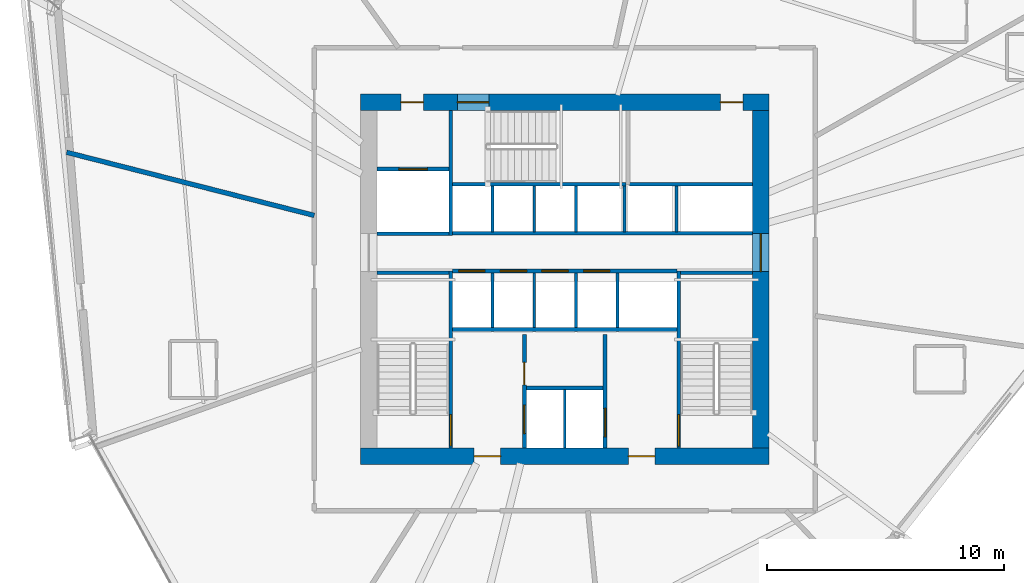
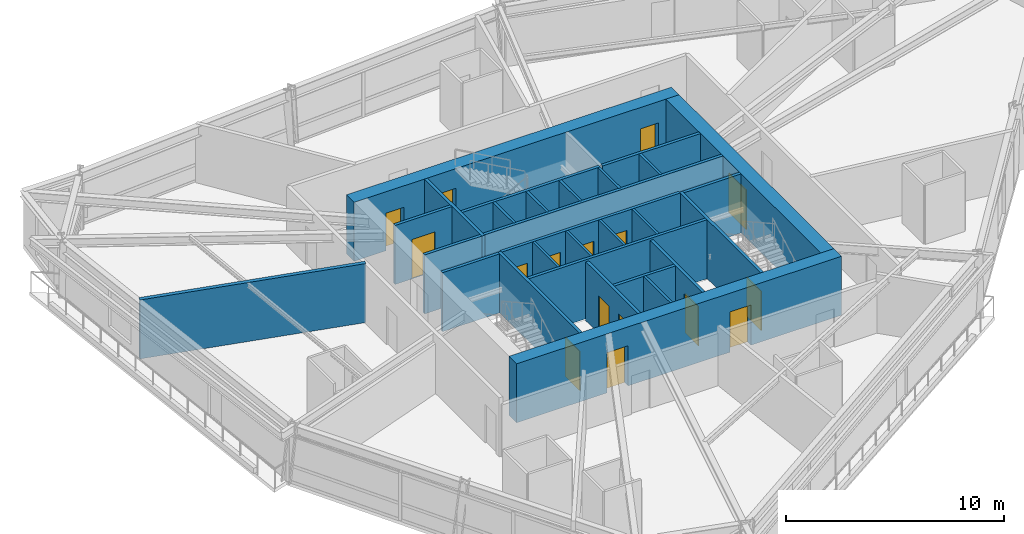
# One storey, part 15 of 21: 29 walls, 16 doors, 16 openings.
"""IFC4 building model written with IfcOpenShell, lengths in metres."""

from ifc_helpers import new_model, si_unit, direction, frame, frame_2d, origin, place, context, subcontext, project, spatial, rectangle, extrude, source, transform, mapped, material, layer, layer_set, type_object, type_shapes, element, fill, save


model = new_model("IFC4")

# Units and contexts
model_context = context("Model", 3, precision=1e-05, world=origin(), true_north=direction((0.0, 1.0)))
body_context = subcontext(model_context, "Body", "Model", "MODEL_VIEW")
ifc_project = project(units=[si_unit("LENGTHUNIT", "METRE"), si_unit("AREAUNIT", "SQUARE_METRE"), si_unit("VOLUMEUNIT", "CUBIC_METRE"), si_unit("PLANEANGLEUNIT", "RADIAN"), si_unit("MASSUNIT", "GRAM", prefix="KILO")], contexts=[model_context])

# Site, building, storey
site_placement = place(None, origin())
site = spatial("IfcSite", under=ifc_project, at=site_placement, CompositionType="ELEMENT")
building_placement = place(site_placement, origin())
building = spatial("IfcBuilding", under=site, at=building_placement, Name="Olszyna Solenne Hotel", CompositionType="ELEMENT")
storey_placement = place(building_placement, frame((0.0, 0.0, 109.25)))
storey = spatial("IfcBuildingStorey", under=building, at=storey_placement, Name="L28", CompositionType="ELEMENT", Elevation=109.25)

# Wall, openings, doors
ifc_material_1 = material(Name="Concrete C60/75", Category="concrete")
ifc_layer_1 = layer(ifc_material_1, 0.699951171875, Name="Concrete C60/75")
ifc_layer_set_1 = layer_set([ifc_layer_1], Name="Concrete C60/75")
wall_type_1 = type_object("IfcWallType", Name="WL-CR700", PredefinedType="SHEAR", material=ifc_layer_set_1)
wall_1_placement = place(storey_placement, frame((46.60009765625, 19.14990234375, 0.0), z_axis=(0.0, 0.0, 1.0), x_axis=(-1.0, 0.0, 0.0)))
wall_1 = element("IfcWall", 1, at=wall_1_placement, inside=storey, type_object=wall_type_1, Name="Core shear wall WL-CR700 CRW-L28-S", PredefinedType="SHEAR", context=body_context, shape_type="SweptSolid", body=[
    extrude(rectangle(XDim=17.2001953125, YDim=0.699951171875, at=frame_2d((8.60009765625, 0.0))), origin(), (0.0, 0.0, 1.0), 3.300048828125),
])
opening_1_placement = place(wall_1_placement, frame((4.800048828125, 0.0, 0.0)))
opening_1 = element("IfcOpeningElement", 2, at=opening_1_placement, cuts=wall_1, Name="Opening FL-L28-1", PredefinedType="OPENING", context=body_context, shape_type="SweptSolid", body=[
    extrude(rectangle(XDim=1.1201171875, YDim=2.25, at=frame_2d((0.56005859375, 1.125))), frame((0.0, 0.35986328125, 0.0), z_axis=(0.0, -1.0, 0.0), x_axis=(1.0, 0.0, 0.0)), (0.0, 0.0, 1.0), 0.719970703125),
])
opening_2_placement = place(wall_1_placement, frame((11.300048828125, 0.0, 0.0)))
opening_2 = element("IfcOpeningElement", 3, at=opening_2_placement, cuts=wall_1, Name="Opening FL-L28-2", PredefinedType="OPENING", context=body_context, shape_type="SweptSolid", body=[
    extrude(rectangle(XDim=1.1201171875, YDim=2.25, at=frame_2d((0.56005859375, 1.125))), frame((0.0, 0.35986328125, 0.0), z_axis=(0.0, -1.0, 0.0), x_axis=(1.0, 0.0, 0.0)), (0.0, 0.0, 1.0), 0.719970703125),
])
ifc_material_2 = material(Name="Steel S355J2", Category="steel")
door_type_1 = type_object("IfcDoorType", Name="DR-FL1", OperationType="NOTDEFINED", PredefinedType="DOOR", material=ifc_material_2)
shared_shape_1 = source(origin(), body_context, "Body", "SweptSolid", [
    extrude(rectangle(XDim=1.1201171875, YDim=2.25, at=frame_2d((0.56005859375, 1.125))), frame((0.0, 0.02490234375, 0.0), z_axis=(0.0, -1.0, 0.0), x_axis=(1.0, 0.0, 0.0)), (0.0, 0.0, 1.0), 0.050048828125),
])
type_shapes(door_type_1, [shared_shape_1])
door_1_placement = place(opening_1_placement, origin())
door_1 = element("IfcDoor", 4, at=door_1_placement, inside=storey, type_object=door_type_1, Name="Firefighting lift lobby smoke door FL-L28-1", OperationType="SINGLE_SWING_LEFT", OverallHeight=2.25, OverallWidth=1.1201171875, PredefinedType="DOOR", context=body_context, shape_type="MappedRepresentation", body=[
    mapped(shared_shape_1, transform((0.0, 0.0, 0.0), x_axis=(1.0, 0.0, 0.0), y_axis=(0.0, 1.0, 0.0), z_axis=(0.0, 0.0, 1.0), scale=1.0)),
])
fill(opening_1, door_1)
door_2_placement = place(opening_2_placement, origin())
door_2 = element("IfcDoor", 5, at=door_2_placement, inside=storey, type_object=door_type_1, Name="Firefighting lift lobby smoke door FL-L28-2", OperationType="SINGLE_SWING_RIGHT", OverallHeight=2.25, OverallWidth=1.1201171875, PredefinedType="DOOR", context=body_context, shape_type="MappedRepresentation", body=[
    mapped(shared_shape_1, transform((0.0, 0.0, 0.0), x_axis=(1.0, 0.0, 0.0), y_axis=(0.0, 1.0, 0.0), z_axis=(0.0, 0.0, 1.0), scale=1.0)),
])
fill(opening_2, door_2)

wall_2_placement = place(storey_placement, frame((29.39990234375, 34.050048828125, 0.0), z_axis=(0.0, 0.0, 1.0), x_axis=(1.0, 0.0, 0.0)))
wall_2 = element("IfcWall", 6, at=wall_2_placement, inside=storey, type_object=wall_type_1, Name="Core shear wall WL-CR700 CRW-L28-N", PredefinedType="SHEAR", context=body_context, shape_type="SweptSolid", body=[
    extrude(rectangle(XDim=17.2001953125, YDim=0.699951171875, at=frame_2d((8.60009765625, 0.0))), origin(), (0.0, 0.0, 1.0), 3.300048828125),
])
opening_3_placement = place(wall_2_placement, frame((1.699951171875, 0.0, 0.0)))
opening_3 = element("IfcOpeningElement", 7, at=opening_3_placement, cuts=wall_2, Name="Opening SVD-L28-01", PredefinedType="OPENING", context=body_context, shape_type="SweptSolid", body=[
    extrude(rectangle(XDim=0.949951171875, YDim=2.10009765625, at=frame_2d((0.47509765625, 1.050048828125))), frame((0.0, 0.35986328125, 0.0), z_axis=(0.0, -1.0, 0.0), x_axis=(1.0, 0.0, 0.0)), (0.0, 0.0, 1.0), 0.719970703125),
])
opening_4_placement = place(wall_2_placement, frame((4.080078125, 0.0, 0.0)))
opening_4 = element("IfcOpeningElement", 8, at=opening_4_placement, cuts=wall_2, Name="Opening STD-L28-03", PredefinedType="OPENING", context=body_context, shape_type="SweptSolid", body=[
    extrude(rectangle(XDim=1.320068359375, YDim=2.199951171875, at=frame_2d((0.66015625, 1.10009765625))), frame((0.0, 0.35986328125, 0.0), z_axis=(0.0, -1.0, 0.0), x_axis=(1.0, 0.0, 0.0)), (0.0, 0.0, 1.0), 0.719970703125),
])
opening_5_placement = place(wall_2_placement, frame((15.14990234375, 0.0, 0.0)))
opening_5 = element("IfcOpeningElement", 9, at=opening_5_placement, cuts=wall_2, Name="Opening SVD-L28-BN", PredefinedType="OPENING", context=body_context, shape_type="SweptSolid", body=[
    extrude(rectangle(XDim=0.949951171875, YDim=2.10009765625, at=frame_2d((0.47509765625, 1.050048828125))), frame((0.0, 0.35986328125, 0.0), z_axis=(0.0, -1.0, 0.0), x_axis=(1.0, 0.0, 0.0)), (0.0, 0.0, 1.0), 0.719970703125),
])
door_type_2 = type_object("IfcDoorType", Name="DR-ST1", OperationType="NOTDEFINED", PredefinedType="DOOR", material=ifc_material_2)
shared_shape_2 = source(origin(), body_context, "Body", "SweptSolid", [
    extrude(rectangle(XDim=1.320068359375, YDim=2.199951171875, at=frame_2d((0.66015625, 1.10009765625))), frame((0.0, 0.02490234375, 0.0), z_axis=(0.0, -1.0, 0.0), x_axis=(1.0, 0.0, 0.0)), (0.0, 0.0, 1.0), 0.050048828125),
])
type_shapes(door_type_2, [shared_shape_2])
door_3_placement = place(opening_4_placement, origin())
door_3 = element("IfcDoor", 10, at=door_3_placement, inside=storey, type_object=door_type_2, Name="Pressurised exit stair ST3 fire door STD-L28-03", OperationType="SINGLE_SWING_RIGHT", OverallHeight=2.199951171875, OverallWidth=1.320068359375, PredefinedType="DOOR", context=body_context, shape_type="MappedRepresentation", body=[
    mapped(shared_shape_2, transform((0.0, 0.0, 0.0), x_axis=(1.0, 0.0, 0.0), y_axis=(0.0, 1.0, 0.0), z_axis=(0.0, 0.0, 1.0), scale=1.0)),
])
fill(opening_4, door_3)
door_type_3 = type_object("IfcDoorType", Name="DR-SV1", OperationType="NOTDEFINED", PredefinedType="DOOR", material=ifc_material_2)
shared_shape_3 = source(origin(), body_context, "Body", "SweptSolid", [
    extrude(rectangle(XDim=0.949951171875, YDim=2.10009765625, at=frame_2d((0.47509765625, 1.050048828125))), frame((0.0, 0.02490234375, 0.0), z_axis=(0.0, -1.0, 0.0), x_axis=(1.0, 0.0, 0.0)), (0.0, 0.0, 1.0), 0.050048828125),
])
type_shapes(door_type_3, [shared_shape_3])
door_4_placement = place(opening_3_placement, origin())
door_4 = element("IfcDoor", 11, at=door_4_placement, inside=storey, type_object=door_type_3, Name="Service lift lobby fire door SVD-L28-01", OperationType="SINGLE_SWING_LEFT", OverallHeight=2.10009765625, OverallWidth=0.949951171875, PredefinedType="DOOR", context=body_context, shape_type="MappedRepresentation", body=[
    mapped(shared_shape_3, transform((0.0, 0.0, 0.0), x_axis=(1.0, 0.0, 0.0), y_axis=(0.0, 1.0, 0.0), z_axis=(0.0, 0.0, 1.0), scale=1.0)),
])
fill(opening_3, door_4)
door_5_placement = place(opening_5_placement, origin())
door_5 = element("IfcDoor", 12, at=door_5_placement, inside=storey, type_object=door_type_3, Name="Housekeeping core fire door SVD-L28-BN", OperationType="SINGLE_SWING_LEFT", OverallHeight=2.10009765625, OverallWidth=0.949951171875, PredefinedType="DOOR", context=body_context, shape_type="MappedRepresentation", body=[
    mapped(shared_shape_3, transform((0.0, 0.0, 0.0), x_axis=(1.0, 0.0, 0.0), y_axis=(0.0, 1.0, 0.0), z_axis=(0.0, 0.0, 1.0), scale=1.0)),
])
fill(opening_5, door_5)

# Wall, opening, door
wall_3_placement = place(storey_placement, frame((46.25, 33.699951171875, 0.0), z_axis=(0.0, 0.0, 1.0), x_axis=(0.0, -1.0, 0.0)))
wall_3 = element("IfcWall", 13, at=wall_3_placement, inside=storey, type_object=wall_type_1, Name="Core shear wall WL-CR700 CRW-L28-E", PredefinedType="SHEAR", context=body_context, shape_type="SweptSolid", body=[
    extrude(rectangle(XDim=14.199951171875, YDim=0.699951171875, at=frame_2d((7.10009765625, 0.0))), origin(), (0.0, 0.0, 1.0), 3.300048828125),
])
opening_6_placement = place(wall_3_placement, frame((5.179931640625, 0.0, 0.0)))
opening_6 = element("IfcOpeningElement", 14, at=opening_6_placement, cuts=wall_3, Name="Opening LHD-L28-E", PredefinedType="OPENING", context=body_context, shape_type="SweptSolid", body=[
    extrude(rectangle(XDim=1.60009765625, YDim=2.199951171875, at=frame_2d((0.800048828125, 1.10009765625))), frame((0.0, 0.35986328125, 0.0), z_axis=(0.0, -1.0, 0.0), x_axis=(1.0, 0.0, 0.0)), (0.0, 0.0, 1.0), 0.719970703125),
])
ifc_material_3 = material(Name="Timber hardwood", Category="wood")
door_type_4 = type_object("IfcDoorType", Name="DR-CR1", OperationType="DOUBLE_DOOR_SINGLE_SWING", PredefinedType="DOOR", material=ifc_material_3)
shared_shape_4 = source(origin(), body_context, "Body", "SweptSolid", [
    extrude(rectangle(XDim=1.60009765625, YDim=2.199951171875, at=frame_2d((0.800048828125, 1.10009765625))), frame((0.0, 0.02490234375, 0.0), z_axis=(0.0, -1.0, 0.0), x_axis=(1.0, 0.0, 0.0)), (0.0, 0.0, 1.0), 0.050048828125),
])
type_shapes(door_type_4, [shared_shape_4])
door_6_placement = place(opening_6_placement, origin())
door_6 = element("IfcDoor", 15, at=door_6_placement, inside=storey, type_object=door_type_4, Name="Passenger lift lobby East fire door LHD-L28-E", OperationType="DOUBLE_DOOR_SINGLE_SWING", OverallHeight=2.199951171875, OverallWidth=1.60009765625, PredefinedType="DOOR", context=body_context, shape_type="MappedRepresentation", body=[
    mapped(shared_shape_4, transform((0.0, 0.0, 0.0), x_axis=(1.0, 0.0, 0.0), y_axis=(0.0, 1.0, 0.0), z_axis=(0.0, 0.0, 1.0), scale=1.0)),
])
fill(opening_6, door_6)

# Walls
ifc_material_4 = material(Name="Acoustic gypsum partition", Category="gypsum")
ifc_layer_2 = layer(ifc_material_4, 0.125, Name="Acoustic gypsum partition")
ifc_layer_set_2 = layer_set([ifc_layer_2], Name="Acoustic gypsum partition")
wall_type_2 = type_object("IfcWallType", Name="WL-PT125", PredefinedType="PARTITIONING", material=ifc_layer_set_2)
wall_4_placement = place(storey_placement, frame((38.0, 19.5, 0.0), z_axis=(0.0, 0.0, 1.0), x_axis=(0.0, 1.0, 0.0)))
element("IfcWall", 16, at=wall_4_placement, inside=storey, type_object=wall_type_2, Name="Core shaft compartment wall CW-L28-FFM", PredefinedType="PARTITIONING", context=body_context, shape_type="SweptSolid", body=[
    extrude(rectangle(XDim=2.4599609375, YDim=0.125, at=frame_2d((1.22998046875, 0.0))), origin(), (0.0, 0.0, 1.0), 3.300048828125),
])
for number, where, z_axis, x_axis, name in (
    (17, (34.965087890625, 24.56005859375, 0.0), (0.0, 0.0, 1.0), (0.0, 1.0, 0.0), "Core shaft compartment wall CW-L28-DIVS349"),
    (18, (36.715087890625, 24.56005859375, 0.0), (0.0, 0.0, 1.0), (0.0, 1.0, 0.0), "Core shaft compartment wall CW-L28-DIVS367"),
    (19, (38.465087890625, 24.56005859375, 0.0), (0.0, 0.0, 1.0), (0.0, 1.0, 0.0), "Core shaft compartment wall CW-L28-DIVS384"),
    (20, (40.215087890625, 24.56005859375, 0.0), (0.0, 0.0, 1.0), (0.0, 1.0, 0.0), "Core shaft compartment wall CW-L28-DIVS402"),
):
    element("IfcWall", number, at=place(storey_placement, frame(where, z_axis=z_axis, x_axis=x_axis)), inside=storey, type_object=wall_type_2, Name=name, PredefinedType="PARTITIONING", context=body_context, shape_type="SweptSolid", body=[
        extrude(rectangle(XDim=2.31005859375, YDim=0.125, at=frame_2d((1.155029296875, 0.0))), origin(), (0.0, 0.0, 1.0), 3.300048828125),
    ])
for number, where, z_axis, x_axis, name in (
    (21, (34.965087890625, 28.60009765625, 0.0), (0.0, 0.0, 1.0), (0.0, 1.0, 0.0), "Core shaft compartment wall CW-L28-DIVN349"),
    (22, (36.715087890625, 28.60009765625, 0.0), (0.0, 0.0, 1.0), (0.0, 1.0, 0.0), "Core shaft compartment wall CW-L28-DIVN367"),
    (23, (38.465087890625, 28.60009765625, 0.0), (0.0, 0.0, 1.0), (0.0, 1.0, 0.0), "Core shaft compartment wall CW-L28-DIVN384"),
    (24, (40.52490234375, 28.60009765625, 0.0), (0.0, 0.0, 1.0), (0.0, 1.0, 0.0), "Core shaft compartment wall CW-L28-DIVEX405"),
    (25, (42.699951171875, 28.60009765625, 0.0), (0.0, 0.0, 1.0), (0.0, 1.0, 0.0), "Core shaft compartment wall CW-L28-DIVEX427"),
):
    element("IfcWall", number, at=place(storey_placement, frame(where, z_axis=z_axis, x_axis=x_axis)), inside=storey, type_object=wall_type_2, Name=name, PredefinedType="PARTITIONING", context=body_context, shape_type="SweptSolid", body=[
        extrude(rectangle(XDim=1.919921875, YDim=0.125, at=frame_2d((0.9599609375, 0.0))), origin(), (0.0, 0.0, 1.0), 3.300048828125),
    ])

# Wall, opening, door
ifc_layer_3 = layer(ifc_material_4, 0.159912109375, Name="Acoustic gypsum partition")
ifc_layer_set_3 = layer_set([ifc_layer_3], Name="Acoustic gypsum partition")
wall_type_3 = type_object("IfcWallType", Name="WL-PT160", PredefinedType="PARTITIONING", material=ifc_layer_set_3)
wall_5_placement = place(storey_placement, frame((33.199951171875, 19.5, 0.0), z_axis=(0.0, 0.0, 1.0), x_axis=(0.0, 1.0, 0.0)))
wall_5 = element("IfcWall", 26, at=wall_5_placement, inside=storey, type_object=wall_type_3, Name="Core shaft compartment wall CW-L28-ST1E", PredefinedType="PARTITIONING", context=body_context, shape_type="SweptSolid", body=[
    extrude(rectangle(XDim=7.4599609375, YDim=0.159912109375, at=frame_2d((3.72998046875, 0.0))), origin(), (0.0, 0.0, 1.0), 3.300048828125),
])
opening_7_placement = place(wall_5_placement, frame((0.080078125, 0.0, 0.0)))
opening_7 = element("IfcOpeningElement", 27, at=opening_7_placement, cuts=wall_5, Name="Opening STD-L28-01", PredefinedType="OPENING", context=body_context, shape_type="SweptSolid", body=[
    extrude(rectangle(XDim=1.320068359375, YDim=2.199951171875, at=frame_2d((0.66015625, 1.10009765625))), frame((0.0, 0.08984375, 0.0), z_axis=(0.0, -1.0, 0.0), x_axis=(1.0, 0.0, 0.0)), (0.0, 0.0, 1.0), 0.179931640625),
])
door_7_placement = place(opening_7_placement, origin())
door_7 = element("IfcDoor", 28, at=door_7_placement, inside=storey, type_object=door_type_2, Name="Pressurised exit stair ST1 fire door STD-L28-01", OperationType="SINGLE_SWING_LEFT", OverallHeight=2.199951171875, OverallWidth=1.320068359375, PredefinedType="DOOR", context=body_context, shape_type="MappedRepresentation", body=[
    mapped(shared_shape_2, transform((0.0, 0.0, 0.0), x_axis=(1.0, 0.0, 0.0), y_axis=(0.0, 1.0, 0.0), z_axis=(0.0, 0.0, 1.0), scale=1.0)),
])
fill(opening_7, door_7)

# Wall
wall_6_placement = place(storey_placement, frame((30.10009765625, 26.8798828125, 0.0), z_axis=(0.0, 0.0, 1.0), x_axis=(1.0, 0.0, 0.0)))
element("IfcWall", 29, at=wall_6_placement, inside=storey, type_object=wall_type_3, Name="Core shaft compartment wall CW-L28-ST1N", PredefinedType="PARTITIONING", context=body_context, shape_type="SweptSolid", body=[
    extrude(rectangle(XDim=3.02001953125, YDim=0.159912109375, at=frame_2d((1.510009765625, 0.0))), origin(), (0.0, 0.0, 1.0), 3.300048828125),
])

# Wall, opening, door
wall_7_placement = place(storey_placement, frame((42.800048828125, 26.9599609375, 0.0), z_axis=(0.0, 0.0, 1.0), x_axis=(0.0, -1.0, 0.0)))
wall_7 = element("IfcWall", 30, at=wall_7_placement, inside=storey, type_object=wall_type_3, Name="Core shaft compartment wall CW-L28-ST2W", PredefinedType="PARTITIONING", context=body_context, shape_type="SweptSolid", body=[
    extrude(rectangle(XDim=7.4599609375, YDim=0.159912109375, at=frame_2d((3.72998046875, 0.0))), origin(), (0.0, 0.0, 1.0), 3.300048828125),
])
opening_8_placement = place(wall_7_placement, frame((6.06005859375, 0.0, 0.0)))
opening_8 = element("IfcOpeningElement", 31, at=opening_8_placement, cuts=wall_7, Name="Opening STD-L28-02", PredefinedType="OPENING", context=body_context, shape_type="SweptSolid", body=[
    extrude(rectangle(XDim=1.320068359375, YDim=2.199951171875, at=frame_2d((0.66015625, 1.10009765625))), frame((0.0, 0.08984375, 0.0), z_axis=(0.0, -1.0, 0.0), x_axis=(1.0, 0.0, 0.0)), (0.0, 0.0, 1.0), 0.179931640625),
])
door_8_placement = place(opening_8_placement, origin())
door_8 = element("IfcDoor", 32, at=door_8_placement, inside=storey, type_object=door_type_2, Name="Pressurised exit stair ST2 fire door STD-L28-02", OperationType="SINGLE_SWING_RIGHT", OverallHeight=2.199951171875, OverallWidth=1.320068359375, PredefinedType="DOOR", context=body_context, shape_type="MappedRepresentation", body=[
    mapped(shared_shape_2, transform((0.0, 0.0, 0.0), x_axis=(1.0, 0.0, 0.0), y_axis=(0.0, 1.0, 0.0), z_axis=(0.0, 0.0, 1.0), scale=1.0)),
])
fill(opening_8, door_8)

# Walls
wall_8_placement = place(storey_placement, frame((42.8798828125, 26.8798828125, 0.0), z_axis=(0.0, 0.0, 1.0), x_axis=(1.0, 0.0, 0.0)))
element("IfcWall", 33, at=wall_8_placement, inside=storey, type_object=wall_type_3, Name="Core shaft compartment wall CW-L28-ST2N", PredefinedType="PARTITIONING", context=body_context, shape_type="SweptSolid", body=[
    extrude(rectangle(XDim=3.02001953125, YDim=0.159912109375, at=frame_2d((1.510009765625, 0.0))), origin(), (0.0, 0.0, 1.0), 3.300048828125),
])
wall_9_placement = place(storey_placement, frame((33.280029296875, 30.60009765625, 0.0), z_axis=(0.0, 0.0, 1.0), x_axis=(1.0, 0.0, 0.0)))
element("IfcWall", 34, at=wall_9_placement, inside=storey, type_object=wall_type_3, Name="Core shaft compartment wall CW-L28-ST3S", PredefinedType="PARTITIONING", context=body_context, shape_type="SweptSolid", body=[
    extrude(rectangle(XDim=7.300048828125, YDim=0.159912109375, at=frame_2d((3.64990234375, 0.0))), origin(), (0.0, 0.0, 1.0), 3.300048828125),
])

# Wall, openings, doors
wall_10_placement = place(storey_placement, frame((36.300048828125, 19.5, 0.0), z_axis=(0.0, 0.0, 1.0), x_axis=(0.0, 1.0, 0.0)))
wall_10 = element("IfcWall", 35, at=wall_10_placement, inside=storey, type_object=wall_type_3, Name="Core shaft compartment wall CW-L28-FF1W", PredefinedType="PARTITIONING", context=body_context, shape_type="SweptSolid", body=[
    extrude(rectangle(XDim=4.780029296875, YDim=0.159912109375, at=frame_2d((2.39013671875, 0.0))), origin(), (0.0, 0.0, 1.0), 3.300048828125),
])
opening_9_placement = place(wall_10_placement, frame((0.60009765625, 0.0, 0.0)))
opening_9 = element("IfcOpeningElement", 36, at=opening_9_placement, cuts=wall_10, Name="Opening LD-L28-FF1", PredefinedType="OPENING", context=body_context, shape_type="SweptSolid", body=[
    extrude(rectangle(XDim=1.199951171875, YDim=2.199951171875, at=frame_2d((0.60009765625, 1.10009765625))), frame((0.0, 0.08984375, 0.0), z_axis=(0.0, -1.0, 0.0), x_axis=(1.0, 0.0, 0.0)), (0.0, 0.0, 1.0), 0.179931640625),
])
opening_10_placement = place(wall_10_placement, frame((2.64990234375, 0.0, 0.0)))
opening_10 = element("IfcOpeningElement", 37, at=opening_10_placement, cuts=wall_10, Name="Opening SVD-L28-SMK", PredefinedType="OPENING", context=body_context, shape_type="SweptSolid", body=[
    extrude(rectangle(XDim=0.949951171875, YDim=2.10009765625, at=frame_2d((0.47509765625, 1.050048828125))), frame((0.0, 0.08984375, 0.0), z_axis=(0.0, -1.0, 0.0), x_axis=(1.0, 0.0, 0.0)), (0.0, 0.0, 1.0), 0.179931640625),
])
door_9_placement = place(opening_10_placement, origin())
door_9 = element("IfcDoor", 38, at=door_9_placement, inside=storey, type_object=door_type_3, Name="Valet and core service room door SVD-L28-SMK", OperationType="SINGLE_SWING_LEFT", OverallHeight=2.10009765625, OverallWidth=0.949951171875, PredefinedType="DOOR", context=body_context, shape_type="MappedRepresentation", body=[
    mapped(shared_shape_3, transform((0.0, 0.0, 0.0), x_axis=(1.0, 0.0, 0.0), y_axis=(0.0, 1.0, 0.0), z_axis=(0.0, 0.0, 1.0), scale=1.0)),
])
fill(opening_10, door_9)
door_type_5 = type_object("IfcDoorType", Name="LD-FF1", OperationType="DOUBLE_DOOR_SLIDING", PredefinedType="DOOR", material=ifc_material_2)
shared_shape_5 = source(origin(), body_context, "Body", "SweptSolid", [
    extrude(rectangle(XDim=1.199951171875, YDim=2.199951171875, at=frame_2d((0.60009765625, 1.10009765625))), frame((0.0, 0.02490234375, 0.0), z_axis=(0.0, -1.0, 0.0), x_axis=(1.0, 0.0, 0.0)), (0.0, 0.0, 1.0), 0.050048828125),
])
type_shapes(door_type_5, [shared_shape_5])
door_10_placement = place(opening_9_placement, origin())
door_10 = element("IfcDoor", 39, at=door_10_placement, inside=storey, type_object=door_type_5, Name="Firefighters lift FF1 sliding landing door LD-L28-FF1", OperationType="DOUBLE_DOOR_SLIDING", OverallHeight=2.199951171875, OverallWidth=1.199951171875, PredefinedType="DOOR", context=body_context, shape_type="MappedRepresentation", body=[
    mapped(shared_shape_5, transform((0.0, 0.0, 0.0), x_axis=(1.0, 0.0, 0.0), y_axis=(0.0, 1.0, 0.0), z_axis=(0.0, 0.0, 1.0), scale=1.0)),
])
fill(opening_9, door_10)

# Wall, opening, door
wall_11_placement = place(storey_placement, frame((39.699951171875, 24.280029296875, 0.0), z_axis=(0.0, 0.0, 1.0), x_axis=(0.0, -1.0, 0.0)))
wall_11 = element("IfcWall", 40, at=wall_11_placement, inside=storey, type_object=wall_type_3, Name="Core shaft compartment wall CW-L28-FF2E", PredefinedType="PARTITIONING", context=body_context, shape_type="SweptSolid", body=[
    extrude(rectangle(XDim=4.780029296875, YDim=0.159912109375, at=frame_2d((2.39013671875, 0.0))), origin(), (0.0, 0.0, 1.0), 3.300048828125),
])
opening_11_placement = place(wall_11_placement, frame((3.1201171875, 0.0, 0.0)))
opening_11 = element("IfcOpeningElement", 41, at=opening_11_placement, cuts=wall_11, Name="Opening LD-L28-FF2", PredefinedType="OPENING", context=body_context, shape_type="SweptSolid", body=[
    extrude(rectangle(XDim=1.199951171875, YDim=2.199951171875, at=frame_2d((0.60009765625, 1.10009765625))), frame((0.0, 0.08984375, 0.0), z_axis=(0.0, -1.0, 0.0), x_axis=(1.0, 0.0, 0.0)), (0.0, 0.0, 1.0), 0.179931640625),
])
door_11_placement = place(opening_11_placement, origin())
door_11 = element("IfcDoor", 42, at=door_11_placement, inside=storey, type_object=door_type_5, Name="Firefighters lift FF2 sliding landing door LD-L28-FF2", OperationType="DOUBLE_DOOR_SLIDING", OverallHeight=2.199951171875, OverallWidth=1.199951171875, PredefinedType="DOOR", context=body_context, shape_type="MappedRepresentation", body=[
    mapped(shared_shape_5, transform((0.0, 0.0, 0.0), x_axis=(1.0, 0.0, 0.0), y_axis=(0.0, 1.0, 0.0), z_axis=(0.0, 0.0, 1.0), scale=1.0)),
])
fill(opening_11, door_11)

# Walls
wall_12_placement = place(storey_placement, frame((36.3798828125, 22.02001953125, 0.0), z_axis=(0.0, 0.0, 1.0), x_axis=(1.0, 0.0, 0.0)))
element("IfcWall", 43, at=wall_12_placement, inside=storey, type_object=wall_type_3, Name="Core shaft compartment wall CW-L28-FFN", PredefinedType="PARTITIONING", context=body_context, shape_type="SweptSolid", body=[
    extrude(rectangle(XDim=3.240234375, YDim=0.159912109375, at=frame_2d((1.6201171875, 0.0))), origin(), (0.0, 0.0, 1.0), 3.300048828125),
])
wall_13_placement = place(storey_placement, frame((33.280029296875, 24.489990234375, 0.0), z_axis=(0.0, 0.0, 1.0), x_axis=(1.0, 0.0, 0.0)))
element("IfcWall", 44, at=wall_13_placement, inside=storey, type_object=wall_type_3, Name="Core shaft compartment wall CW-L28-FFBN", PredefinedType="PARTITIONING", context=body_context, shape_type="SweptSolid", body=[
    extrude(rectangle(XDim=9.43994140625, YDim=0.159912109375, at=frame_2d((4.719970703125, 0.0))), origin(), (0.0, 0.0, 1.0), 3.300048828125),
])
wall_14_placement = place(storey_placement, frame((30.10009765625, 28.52001953125, 0.0), z_axis=(0.0, 0.0, 1.0), x_axis=(1.0, 0.0, 0.0)))
element("IfcWall", 45, at=wall_14_placement, inside=storey, type_object=wall_type_3, Name="Core shaft compartment wall CW-L28-SV1S", PredefinedType="PARTITIONING", context=body_context, shape_type="SweptSolid", body=[
    extrude(rectangle(XDim=3.02001953125, YDim=0.159912109375, at=frame_2d((1.510009765625, 0.0))), origin(), (0.0, 0.0, 1.0), 3.300048828125),
])
wall_15_placement = place(storey_placement, frame((33.199951171875, 28.43994140625, 0.0), z_axis=(0.0, 0.0, 1.0), x_axis=(0.0, 1.0, 0.0)))
element("IfcWall", 46, at=wall_15_placement, inside=storey, type_object=wall_type_3, Name="Core shaft compartment wall CW-L28-SV1E", PredefinedType="PARTITIONING", context=body_context, shape_type="SweptSolid", body=[
    extrude(rectangle(XDim=5.260009765625, YDim=0.159912109375, at=frame_2d((2.6298828125, 0.0))), origin(), (0.0, 0.0, 1.0), 3.300048828125),
])

# Wall, opening, door
wall_16_placement = place(storey_placement, frame((30.10009765625, 31.239990234375, 0.0), z_axis=(0.0, 0.0, 1.0), x_axis=(1.0, 0.0, 0.0)))
wall_16 = element("IfcWall", 47, at=wall_16_placement, inside=storey, type_object=wall_type_3, Name="Core shaft compartment wall CW-L28-SV1N", PredefinedType="PARTITIONING", context=body_context, shape_type="SweptSolid", body=[
    extrude(rectangle(XDim=3.02001953125, YDim=0.159912109375, at=frame_2d((1.510009765625, 0.0))), origin(), (0.0, 0.0, 1.0), 3.300048828125),
])
opening_12_placement = place(wall_16_placement, frame((0.909912109375, 0.0, 0.0)))
opening_12 = element("IfcOpeningElement", 48, at=opening_12_placement, cuts=wall_16, Name="Opening LD-L28-SV1", PredefinedType="OPENING", context=body_context, shape_type="SweptSolid", body=[
    extrude(rectangle(XDim=1.199951171875, YDim=2.199951171875, at=frame_2d((0.60009765625, 1.10009765625))), frame((0.0, 0.08984375, 0.0), z_axis=(0.0, -1.0, 0.0), x_axis=(1.0, 0.0, 0.0)), (0.0, 0.0, 1.0), 0.179931640625),
])
door_12_placement = place(opening_12_placement, origin())
door_12 = element("IfcDoor", 49, at=door_12_placement, inside=storey, type_object=door_type_5, Name="Service lift SV1 sliding landing door LD-L28-SV1", OperationType="DOUBLE_DOOR_SLIDING", OverallHeight=2.199951171875, OverallWidth=1.199951171875, PredefinedType="DOOR", context=body_context, shape_type="MappedRepresentation", body=[
    mapped(shared_shape_5, transform((0.0, 0.0, 0.0), x_axis=(1.0, 0.0, 0.0), y_axis=(0.0, 1.0, 0.0), z_axis=(0.0, 0.0, 1.0), scale=1.0)),
])
fill(opening_12, door_12)

# Wall, openings, doors
wall_17_placement = place(storey_placement, frame((33.280029296875, 26.949951171875, 0.0), z_axis=(0.0, 0.0, 1.0), x_axis=(1.0, 0.0, 0.0)))
wall_17 = element("IfcWall", 50, at=wall_17_placement, inside=storey, type_object=wall_type_3, Name="Core shaft compartment wall CW-L28-LRS", PredefinedType="PARTITIONING", context=body_context, shape_type="SweptSolid", body=[
    extrude(rectangle(XDim=9.43994140625, YDim=0.159912109375, at=frame_2d((4.719970703125, 0.0))), origin(), (0.0, 0.0, 1.0), 3.300048828125),
])
opening_13_placement = place(wall_17_placement, frame((0.260009765625, 0.0, 0.0)))
opening_13 = element("IfcOpeningElement", 51, at=opening_13_placement, cuts=wall_17, Name="Opening LD-L28-PL1", PredefinedType="OPENING", context=body_context, shape_type="SweptSolid", body=[
    extrude(rectangle(XDim=1.10009765625, YDim=2.199951171875, at=frame_2d((0.550048828125, 1.10009765625))), frame((0.0, 0.08984375, 0.0), z_axis=(0.0, -1.0, 0.0), x_axis=(1.0, 0.0, 0.0)), (0.0, 0.0, 1.0), 0.179931640625),
])
opening_14_placement = place(wall_17_placement, frame((2.010009765625, 0.0, 0.0)))
opening_14 = element("IfcOpeningElement", 52, at=opening_14_placement, cuts=wall_17, Name="Opening LD-L28-PL2", PredefinedType="OPENING", context=body_context, shape_type="SweptSolid", body=[
    extrude(rectangle(XDim=1.10009765625, YDim=2.199951171875, at=frame_2d((0.550048828125, 1.10009765625))), frame((0.0, 0.08984375, 0.0), z_axis=(0.0, -1.0, 0.0), x_axis=(1.0, 0.0, 0.0)), (0.0, 0.0, 1.0), 0.179931640625),
])
opening_15_placement = place(wall_17_placement, frame((3.760009765625, 0.0, 0.0)))
opening_15 = element("IfcOpeningElement", 53, at=opening_15_placement, cuts=wall_17, Name="Opening LD-L28-PL3", PredefinedType="OPENING", context=body_context, shape_type="SweptSolid", body=[
    extrude(rectangle(XDim=1.10009765625, YDim=2.199951171875, at=frame_2d((0.550048828125, 1.10009765625))), frame((0.0, 0.08984375, 0.0), z_axis=(0.0, -1.0, 0.0), x_axis=(1.0, 0.0, 0.0)), (0.0, 0.0, 1.0), 0.179931640625),
])
opening_16_placement = place(wall_17_placement, frame((5.510009765625, 0.0, 0.0)))
opening_16 = element("IfcOpeningElement", 54, at=opening_16_placement, cuts=wall_17, Name="Opening LD-L28-PL4", PredefinedType="OPENING", context=body_context, shape_type="SweptSolid", body=[
    extrude(rectangle(XDim=1.10009765625, YDim=2.199951171875, at=frame_2d((0.550048828125, 1.10009765625))), frame((0.0, 0.08984375, 0.0), z_axis=(0.0, -1.0, 0.0), x_axis=(1.0, 0.0, 0.0)), (0.0, 0.0, 1.0), 0.179931640625),
])
door_type_6 = type_object("IfcDoorType", Name="LD-P1", OperationType="DOUBLE_DOOR_SLIDING", PredefinedType="DOOR", material=ifc_material_2)
shared_shape_6 = source(origin(), body_context, "Body", "SweptSolid", [
    extrude(rectangle(XDim=1.10009765625, YDim=2.199951171875, at=frame_2d((0.550048828125, 1.10009765625))), frame((0.0, 0.02490234375, 0.0), z_axis=(0.0, -1.0, 0.0), x_axis=(1.0, 0.0, 0.0)), (0.0, 0.0, 1.0), 0.050048828125),
])
type_shapes(door_type_6, [shared_shape_6])
door_13_placement = place(opening_13_placement, origin())
door_13 = element("IfcDoor", 55, at=door_13_placement, inside=storey, type_object=door_type_6, Name="Passenger lift PL1 sliding landing door LD-L28-PL1", OperationType="DOUBLE_DOOR_SLIDING", OverallHeight=2.199951171875, OverallWidth=1.10009765625, PredefinedType="DOOR", context=body_context, shape_type="MappedRepresentation", body=[
    mapped(shared_shape_6, transform((0.0, 0.0, 0.0), x_axis=(1.0, 0.0, 0.0), y_axis=(0.0, 1.0, 0.0), z_axis=(0.0, 0.0, 1.0), scale=1.0)),
])
fill(opening_13, door_13)
door_14_placement = place(opening_14_placement, origin())
door_14 = element("IfcDoor", 56, at=door_14_placement, inside=storey, type_object=door_type_6, Name="Passenger lift PL2 sliding landing door LD-L28-PL2", OperationType="DOUBLE_DOOR_SLIDING", OverallHeight=2.199951171875, OverallWidth=1.10009765625, PredefinedType="DOOR", context=body_context, shape_type="MappedRepresentation", body=[
    mapped(shared_shape_6, transform((0.0, 0.0, 0.0), x_axis=(1.0, 0.0, 0.0), y_axis=(0.0, 1.0, 0.0), z_axis=(0.0, 0.0, 1.0), scale=1.0)),
])
fill(opening_14, door_14)
door_15_placement = place(opening_15_placement, origin())
door_15 = element("IfcDoor", 57, at=door_15_placement, inside=storey, type_object=door_type_6, Name="Passenger lift PL3 sliding landing door LD-L28-PL3", OperationType="DOUBLE_DOOR_SLIDING", OverallHeight=2.199951171875, OverallWidth=1.10009765625, PredefinedType="DOOR", context=body_context, shape_type="MappedRepresentation", body=[
    mapped(shared_shape_6, transform((0.0, 0.0, 0.0), x_axis=(1.0, 0.0, 0.0), y_axis=(0.0, 1.0, 0.0), z_axis=(0.0, 0.0, 1.0), scale=1.0)),
])
fill(opening_15, door_15)
door_16_placement = place(opening_16_placement, origin())
door_16 = element("IfcDoor", 58, at=door_16_placement, inside=storey, type_object=door_type_6, Name="Passenger lift PL4 sliding landing door LD-L28-PL4", OperationType="DOUBLE_DOOR_SLIDING", OverallHeight=2.199951171875, OverallWidth=1.10009765625, PredefinedType="DOOR", context=body_context, shape_type="MappedRepresentation", body=[
    mapped(shared_shape_6, transform((0.0, 0.0, 0.0), x_axis=(1.0, 0.0, 0.0), y_axis=(0.0, 1.0, 0.0), z_axis=(0.0, 0.0, 1.0), scale=1.0)),
])
fill(opening_16, door_16)

# Walls
wall_18_placement = place(storey_placement, frame((33.280029296875, 28.5400390625, 0.0), z_axis=(0.0, 0.0, 1.0), x_axis=(1.0, 0.0, 0.0)))
element("IfcWall", 59, at=wall_18_placement, inside=storey, type_object=wall_type_3, Name="Core shaft compartment wall CW-L28-LRN", PredefinedType="PARTITIONING", context=body_context, shape_type="SweptSolid", body=[
    extrude(rectangle(XDim=12.619873046875, YDim=0.159912109375, at=frame_2d((6.31005859375, 0.0))), origin(), (0.0, 0.0, 1.0), 3.300048828125),
])
wall_19_placement = place(storey_placement, frame((40.719970703125, 30.60009765625, 0.0), z_axis=(0.0, 0.0, 1.0), x_axis=(1.0, 0.0, 0.0)))
element("IfcWall", 60, at=wall_19_placement, inside=storey, type_object=wall_type_3, Name="Core shaft compartment wall CW-L28-LRNTOP", PredefinedType="PARTITIONING", context=body_context, shape_type="SweptSolid", body=[
    extrude(rectangle(XDim=5.179931640625, YDim=0.159912109375, at=frame_2d((2.58984375, 0.0))), origin(), (0.0, 0.0, 1.0), 3.300048828125),
])
ifc_layer_4 = layer(ifc_material_4, 0.199951171875, Name="Acoustic gypsum partition")
ifc_layer_set_4 = layer_set([ifc_layer_4], Name="Acoustic gypsum partition")
wall_type_4 = type_object("IfcWallType", Name="WL-PT200", PredefinedType="PARTITIONING", material=ifc_layer_set_4)
wall_20_placement = place(storey_placement, frame((27.449951171875, 29.289306640625, 0.0), z_axis=(0.0, 0.0, 1.0), x_axis=(-0.96902028645, 0.246981141887, 0.0)))
element("IfcWall", 61, at=wall_20_placement, inside=storey, type_object=wall_type_4, Name="Interior acoustic partition WL-PT200 PW-L28-1625", PredefinedType="PARTITIONING", context=body_context, shape_type="SweptSolid", body=[
    extrude(rectangle(XDim=10.7578125, YDim=0.199951171875, at=frame_2d((5.37890625, 0.0))), origin(), (0.0, 0.0, 1.0), 3.300048828125),
])

save(model, "model.ifc")
